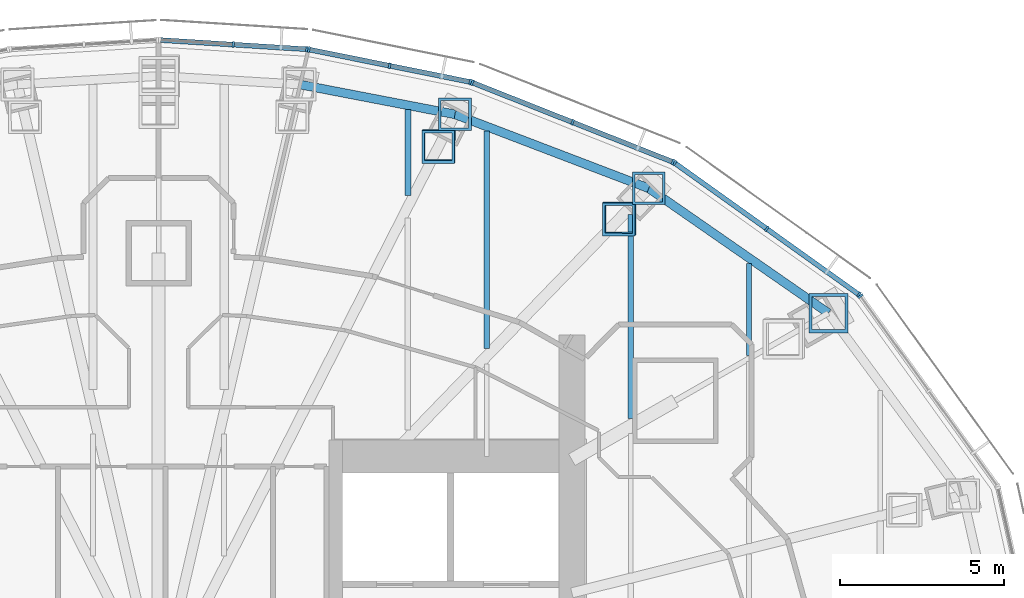
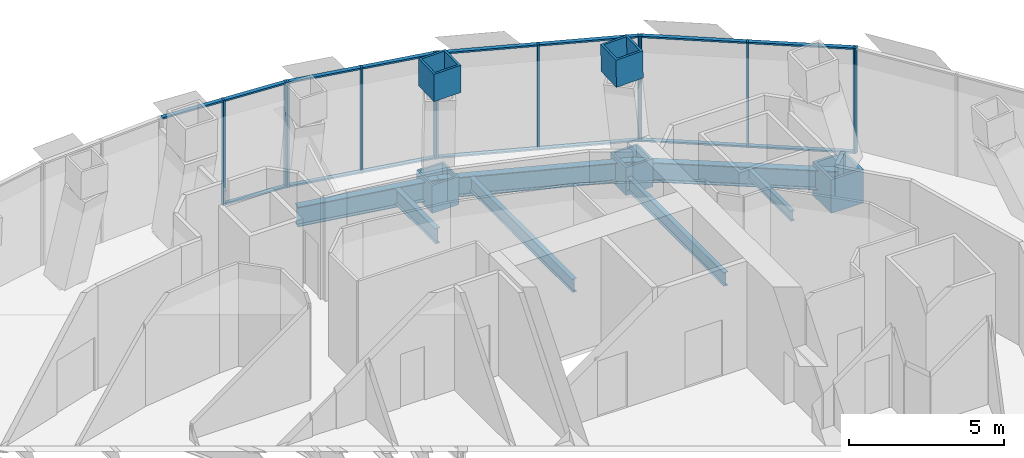
# One storey, part 9 of 18: 32 members, 7 beams, 5 elements without a shape of their own.
"""IFC4 building model written with IfcOpenShell, lengths in metres."""

from ifc_helpers import new_model, si_unit, direction, frame, origin, origin_2d, place, context, subcontext, project, spatial, rectangle, hollow_rectangle, i_section, extrude, material, material_profile, profile_set, type_object, element, aggregate, save


model = new_model("IFC4")

# Units and contexts
model_context = context("Model", 3, precision=1e-05, world=origin(), true_north=direction((0.0, 1.0)))
body_context = subcontext(model_context, "Body", "Model", "MODEL_VIEW")
ifc_project = project(units=[si_unit("LENGTHUNIT", "METRE"), si_unit("AREAUNIT", "SQUARE_METRE"), si_unit("VOLUMEUNIT", "CUBIC_METRE"), si_unit("PLANEANGLEUNIT", "RADIAN"), si_unit("MASSUNIT", "GRAM", prefix="KILO")], contexts=[model_context])

# Site, building, storey
site_placement = place(None, origin())
site = spatial("IfcSite", under=ifc_project, at=site_placement, CompositionType="ELEMENT")
building_placement = place(site_placement, origin())
building = spatial("IfcBuilding", under=site, at=building_placement, Name="Lantaw Convention Tower", CompositionType="ELEMENT")
storey_placement = place(building_placement, frame((0.0, 0.0, 266.199951171875)))
storey = spatial("IfcBuildingStorey", under=building, at=storey_placement, Name="L62", CompositionType="ELEMENT", Elevation=266.199951171875)

# Beams
ifc_material_1 = material(Name="Steel ASTM A992", Category="steel")
ifc_material_profile_1 = material_profile(ifc_material_1, i_section(OverallWidth=0.2666015625, OverallDepth=0.76953125, WebThickness=0.015625, FlangeThickness=0.025390625, FilletRadius=0.0126953125, at=origin_2d()), Name="W30X132")
ifc_profile_set_1 = profile_set([ifc_material_profile_1], Name="Steel ASTM A992")
beam_type_1 = type_object("IfcBeamType", Name="Beam E W30X132", PredefinedType="SPANDREL", material=ifc_profile_set_1)
beam_1_placement = place(storey_placement, frame((20.423095703125, 11.67041015625, -0.53466796875), z_axis=(-0.82135329406, 0.570419815869, 0.0), x_axis=(-0.570419815869, -0.82135329406, 0.0)))
element("IfcBeam", 1, at=beam_1_placement, inside=storey, type_object=beam_type_1, Name="Edge beam 3", PredefinedType="SPANDREL", context=body_context, shape_type="SweptSolid", body=[
    extrude(i_section(OverallWidth=0.2666015625, OverallDepth=0.76953125, WebThickness=0.015625, FlangeThickness=0.025390625, FilletRadius=0.0126953125, at=origin_2d()), origin(), (0.0, 0.0, 1.0), 6.67041015625),
])
beam_2_placement = place(storey_placement, frame((14.9443359375, 15.475341796875, -0.53466796875), z_axis=(-0.934234988, 0.356658081637, 0.0), x_axis=(-0.356658081637, -0.934234988, 0.0)))
element("IfcBeam", 2, at=beam_2_placement, inside=storey, type_object=beam_type_1, Name="Edge beam 4", PredefinedType="SPANDREL", context=body_context, shape_type="SweptSolid", body=[
    extrude(i_section(OverallWidth=0.2666015625, OverallDepth=0.76953125, WebThickness=0.015625, FlangeThickness=0.025390625, FilletRadius=0.0126953125, at=origin_2d()), origin(), (0.0, 0.0, 1.0), 6.32568359375),
])
beam_3_placement = place(storey_placement, frame((9.03466796875, 17.7314453125, -0.53466796875), z_axis=(-0.981972091702, 0.189025953556, 0.0), x_axis=(-0.189025953556, -0.981972091702, 0.0)))
element("IfcBeam", 3, at=beam_3_placement, inside=storey, type_object=beam_type_1, Name="Edge beam 5", PredefinedType="SPANDREL", context=body_context, shape_type="SweptSolid", body=[
    extrude(i_section(OverallWidth=0.2666015625, OverallDepth=0.76953125, WebThickness=0.015625, FlangeThickness=0.025390625, FilletRadius=0.0126953125, at=origin_2d()), origin(), (0.0, 0.0, 1.0), 4.817626953125),
])
ifc_material_profile_2 = material_profile(ifc_material_1, i_section(OverallWidth=0.140380859375, OverallDepth=0.40380859375, WebThickness=0.007080078125, FlangeThickness=0.01123046875, FilletRadius=0.01025390625, at=origin_2d()), Name="W16X31")
ifc_profile_set_2 = profile_set([ifc_material_profile_2], Name="Steel ASTM A992")
beam_type_2 = type_object("IfcBeamType", Name="Beam J W16X31", PredefinedType="JOIST", material=ifc_profile_set_2)
beam_4_placement = place(storey_placement, frame((18.0, 10.380859375, -0.351806640625), z_axis=(0.0, 1.0, 0.0), x_axis=(-1.0, 0.0, 0.0)))
element("IfcBeam", 4, at=beam_4_placement, inside=storey, type_object=beam_type_2, Name="Floor joist", PredefinedType="JOIST", context=body_context, shape_type="SweptSolid", body=[
    extrude(i_section(OverallWidth=0.140380859375, OverallDepth=0.40380859375, WebThickness=0.007080078125, FlangeThickness=0.01123046875, FilletRadius=0.01025390625, at=origin_2d()), origin(), (0.0, 0.0, 1.0), 2.81005859375),
])
ifc_material_profile_3 = material_profile(ifc_material_1, i_section(OverallWidth=0.1650390625, OverallDepth=0.52587890625, WebThickness=0.0087890625, FlangeThickness=0.011474609375, FilletRadius=0.0126953125, at=origin_2d()), Name="W21X44")
ifc_profile_set_3 = profile_set([ifc_material_profile_3], Name="Steel ASTM A992")
beam_type_3 = type_object("IfcBeamType", Name="Beam J W21X44", PredefinedType="JOIST", material=ifc_profile_set_3)
beam_5_placement = place(storey_placement, frame((10.0, 10.591064453125, -0.412841796875), z_axis=(0.0, 1.0, 0.0), x_axis=(-1.0, 0.0, 0.0)))
element("IfcBeam", 5, at=beam_5_placement, inside=storey, type_object=beam_type_3, Name="Floor joist", PredefinedType="JOIST", context=body_context, shape_type="SweptSolid", body=[
    extrude(i_section(OverallWidth=0.1650390625, OverallDepth=0.52587890625, WebThickness=0.0087890625, FlangeThickness=0.011474609375, FilletRadius=0.0126953125, at=origin_2d()), origin(), (0.0, 0.0, 1.0), 6.629150390625),
])
beam_6_placement = place(storey_placement, frame((14.39990234375, 8.461181640625, -0.412841796875), z_axis=(0.0, 1.0, 0.0), x_axis=(-1.0, 0.0, 0.0)))
element("IfcBeam", 6, at=beam_6_placement, inside=storey, type_object=beam_type_3, Name="Floor joist", PredefinedType="JOIST", context=body_context, shape_type="SweptSolid", body=[
    extrude(i_section(OverallWidth=0.1650390625, OverallDepth=0.52587890625, WebThickness=0.0087890625, FlangeThickness=0.011474609375, FilletRadius=0.0126953125, at=origin_2d()), origin(), (0.0, 0.0, 1.0), 6.214599609375),
])
ifc_material_profile_4 = material_profile(ifc_material_1, i_section(OverallWidth=0.177978515625, OverallDepth=0.599365234375, WebThickness=0.010009765625, FlangeThickness=0.012939453125, FilletRadius=0.012939453125, at=origin_2d()), Name="W24X55")
ifc_profile_set_4 = profile_set([ifc_material_profile_4], Name="Steel ASTM A992")
beam_type_4 = type_object("IfcBeamType", Name="Beam J W24X55", PredefinedType="JOIST", material=ifc_profile_set_4)
beam_7_placement = place(storey_placement, frame((7.60009765625, 15.25439453125, -0.44970703125), z_axis=(0.0, 1.0, 0.0), x_axis=(-1.0, 0.0, 0.0)))
element("IfcBeam", 7, at=beam_7_placement, inside=storey, type_object=beam_type_4, Name="Floor joist", PredefinedType="JOIST", context=body_context, shape_type="SweptSolid", body=[
    extrude(i_section(OverallWidth=0.177978515625, OverallDepth=0.599365234375, WebThickness=0.010009765625, FlangeThickness=0.012939453125, FilletRadius=0.012939453125, at=origin_2d()), origin(), (0.0, 0.0, 1.0), 2.617431640625),
])

# Curtain wall, member
ifc_material_2 = material(Name="Aluminium framed curtain wall", Category="aluminium")
curtain_wall_type = type_object("IfcCurtainWallType", Name="Office curtain wall high rise, pale aluminium", PredefinedType="USERDEFINED", material=ifc_material_2)
curtain_wall_1_placement = place(storey_placement, origin())
curtain_wall_1 = element("IfcCurtainWall", 8, at=curtain_wall_1_placement, inside=storey, type_object=curtain_wall_type, Name="Office curtain wall high rise, pale aluminium L62", ObjectType="UNITISED CURTAIN WALL", PredefinedType="USERDEFINED")
ifc_material_3 = material(Name="Aluminium 6063-T6", Category="aluminium")
ifc_material_profile_5 = material_profile(ifc_material_3, rectangle(XDim=0.179931640625, YDim=0.06494140625, at=origin_2d()), Name="CW-O2 mullion 65x180")
ifc_profile_set_5 = profile_set([ifc_material_profile_5], Name="Aluminium 6063-T6")
member_type_1 = type_object("IfcMemberType", Name="CW-O2 mullion 65x180", PredefinedType="MULLION", material=ifc_profile_set_5)
member_1_placement = place(storey_placement, frame((21.397216796875, 12.189697265625, -0.14990234375), z_axis=(0.0, 0.0, 1.0), x_axis=(-0.810919559405, -0.585157643865, 0.0)))
member_1 = element("IfcMember", 9, at=member_1_placement, type_object=member_type_1, Name="CW-O2 mullion 3", PredefinedType="MULLION", context=body_context, shape_type="SweptSolid", body=[
    extrude(rectangle(XDim=0.179931640625, YDim=0.06494140625, at=origin_2d()), origin(), (0.0, 0.0, 1.0), 4.14990234375),
])
aggregate(curtain_wall_1, [member_1])

# Curtain wall, members
curtain_wall_2_placement = place(storey_placement, origin())
curtain_wall_2 = element("IfcCurtainWall", 10, at=curtain_wall_2_placement, inside=storey, type_object=curtain_wall_type, Name="Office curtain wall high rise, pale aluminium L62", ObjectType="UNITISED CURTAIN WALL", PredefinedType="USERDEFINED")
member_2_placement = place(storey_placement, frame((21.3515625, 12.23486328125, -0.14990234375), z_axis=(0.0, 0.0, 1.0), x_axis=(-0.581323487281, -0.813672540482, 0.0)))
member_2 = element("IfcMember", 11, at=member_2_placement, type_object=member_type_1, Name="CW-O2 mullion 1", PredefinedType="MULLION", context=body_context, shape_type="SweptSolid", body=[
    extrude(rectangle(XDim=0.179931640625, YDim=0.06494140625, at=origin_2d()), origin(), (0.0, 0.0, 1.0), 4.14990234375),
])
member_3_placement = place(storey_placement, frame((18.543212890625, 14.241455078125, -0.14990234375), z_axis=(0.0, 0.0, 1.0), x_axis=(-0.581323487281, -0.813672540482, 0.0)))
member_3 = element("IfcMember", 12, at=member_3_placement, type_object=member_type_1, Name="CW-O2 mullion 2", PredefinedType="MULLION", context=body_context, shape_type="SweptSolid", body=[
    extrude(rectangle(XDim=0.179931640625, YDim=0.06494140625, at=origin_2d()), origin(), (0.0, 0.0, 1.0), 4.14990234375),
])
member_4_placement = place(storey_placement, frame((15.73486328125, 16.247802734375, -0.14990234375), z_axis=(0.0, 0.0, 1.0), x_axis=(-0.581323487281, -0.813672540482, 0.0)))
member_4 = element("IfcMember", 13, at=member_4_placement, type_object=member_type_1, Name="CW-O2 mullion 3", PredefinedType="MULLION", context=body_context, shape_type="SweptSolid", body=[
    extrude(rectangle(XDim=0.179931640625, YDim=0.06494140625, at=origin_2d()), origin(), (0.0, 0.0, 1.0), 4.14990234375),
])

curtain_wall_3_placement = place(storey_placement, origin())
curtain_wall_3 = element("IfcCurtainWall", 14, at=curtain_wall_3_placement, inside=storey, type_object=curtain_wall_type, Name="Office curtain wall high rise, pale aluminium L62", ObjectType="UNITISED CURTAIN WALL", PredefinedType="USERDEFINED")
member_5_placement = place(storey_placement, frame((15.67822265625, 16.278564453125, -0.14990234375), z_axis=(0.0, 0.0, 1.0), x_axis=(-0.368162315252, -0.929761533743, 0.0)))
member_5 = element("IfcMember", 15, at=member_5_placement, type_object=member_type_1, Name="CW-O2 mullion 1", PredefinedType="MULLION", context=body_context, shape_type="SweptSolid", body=[
    extrude(rectangle(XDim=0.179931640625, YDim=0.06494140625, at=origin_2d()), origin(), (0.0, 0.0, 1.0), 4.14990234375),
])
member_6_placement = place(storey_placement, frame((12.621337890625, 17.4892578125, -0.14990234375), z_axis=(0.0, 0.0, 1.0), x_axis=(-0.368162315252, -0.929761533743, 0.0)))
member_6 = element("IfcMember", 16, at=member_6_placement, type_object=member_type_1, Name="CW-O2 mullion 2", PredefinedType="MULLION", context=body_context, shape_type="SweptSolid", body=[
    extrude(rectangle(XDim=0.179931640625, YDim=0.06494140625, at=origin_2d()), origin(), (0.0, 0.0, 1.0), 4.14990234375),
])
member_7_placement = place(storey_placement, frame((9.564208984375, 18.69970703125, -0.14990234375), z_axis=(0.0, 0.0, 1.0), x_axis=(-0.368162315252, -0.929761533743, 0.0)))
member_7 = element("IfcMember", 17, at=member_7_placement, type_object=member_type_1, Name="CW-O2 mullion 3", PredefinedType="MULLION", context=body_context, shape_type="SweptSolid", body=[
    extrude(rectangle(XDim=0.179931640625, YDim=0.06494140625, at=origin_2d()), origin(), (0.0, 0.0, 1.0), 4.14990234375),
])

curtain_wall_4_placement = place(storey_placement, origin())
curtain_wall_4 = element("IfcCurtainWall", 18, at=curtain_wall_4_placement, inside=storey, type_object=curtain_wall_type, Name="Office curtain wall high rise, pale aluminium L62", ObjectType="UNITISED CURTAIN WALL", PredefinedType="USERDEFINED")
member_8_placement = place(storey_placement, frame((9.502197265625, 18.718017578125, -0.14990234375), z_axis=(0.0, 0.0, 1.0), x_axis=(-0.197183095987, -0.980366679695, 0.0)))
member_8 = element("IfcMember", 19, at=member_8_placement, type_object=member_type_1, Name="CW-O2 mullion 1", PredefinedType="MULLION", context=body_context, shape_type="SweptSolid", body=[
    extrude(rectangle(XDim=0.179931640625, YDim=0.06494140625, at=origin_2d()), origin(), (0.0, 0.0, 1.0), 4.14990234375),
])
member_9_placement = place(storey_placement, frame((7.042724609375, 19.212646484375, -0.14990234375), z_axis=(0.0, 0.0, 1.0), x_axis=(-0.197183095987, -0.980366679695, 0.0)))
member_9 = element("IfcMember", 20, at=member_9_placement, type_object=member_type_1, Name="CW-O2 mullion 2", PredefinedType="MULLION", context=body_context, shape_type="SweptSolid", body=[
    extrude(rectangle(XDim=0.179931640625, YDim=0.06494140625, at=origin_2d()), origin(), (0.0, 0.0, 1.0), 4.14990234375),
])
member_10_placement = place(storey_placement, frame((4.583251953125, 19.70751953125, -0.14990234375), z_axis=(0.0, 0.0, 1.0), x_axis=(-0.197183095987, -0.980366679695, 0.0)))
member_10 = element("IfcMember", 21, at=member_10_placement, type_object=member_type_1, Name="CW-O2 mullion 3", PredefinedType="MULLION", context=body_context, shape_type="SweptSolid", body=[
    extrude(rectangle(XDim=0.179931640625, YDim=0.06494140625, at=origin_2d()), origin(), (0.0, 0.0, 1.0), 4.14990234375),
])

curtain_wall_5_placement = place(storey_placement, origin())
curtain_wall_5 = element("IfcCurtainWall", 22, at=curtain_wall_5_placement, inside=storey, type_object=curtain_wall_type, Name="Office curtain wall high rise, pale aluminium L62", ObjectType="UNITISED CURTAIN WALL", PredefinedType="USERDEFINED")
member_11_placement = place(storey_placement, frame((4.518798828125, 19.7158203125, -0.14990234375), z_axis=(0.0, 0.0, 1.0), x_axis=(-0.062757983884, -0.998028774865, 0.0)))
member_11 = element("IfcMember", 23, at=member_11_placement, type_object=member_type_1, Name="CW-O2 mullion 1", PredefinedType="MULLION", context=body_context, shape_type="SweptSolid", body=[
    extrude(rectangle(XDim=0.179931640625, YDim=0.06494140625, at=origin_2d()), origin(), (0.0, 0.0, 1.0), 4.14990234375),
])
member_12_placement = place(storey_placement, frame((2.275634765625, 19.85693359375, -0.14990234375), z_axis=(0.0, 0.0, 1.0), x_axis=(-0.062757983884, -0.998028774865, 0.0)))
member_12 = element("IfcMember", 24, at=member_12_placement, type_object=member_type_1, Name="CW-O2 mullion 2", PredefinedType="MULLION", context=body_context, shape_type="SweptSolid", body=[
    extrude(rectangle(XDim=0.179931640625, YDim=0.06494140625, at=origin_2d()), origin(), (0.0, 0.0, 1.0), 4.14990234375),
])

# Member
ifc_material_profile_6 = material_profile(ifc_material_3, rectangle(XDim=0.14990234375, YDim=0.06494140625, at=origin_2d()), Name="CW-O2 transom 65x150")
ifc_profile_set_6 = profile_set([ifc_material_profile_6], Name="Aluminium 6063-T6")
member_type_2 = type_object("IfcMemberType", Name="CW-O2 transom 65x150", PredefinedType="USERDEFINED", material=ifc_profile_set_6)
member_13_placement = place(storey_placement, frame((21.3251953125, 12.25390625, -0.117431640625), z_axis=(-0.813679882592, 0.581313210468, 0.0), x_axis=(-0.581313210468, -0.813679882592, 0.0)))
member_13 = element("IfcMember", 25, at=member_13_placement, type_object=member_type_2, Name="CW-O2 transom 1.1", ObjectType="TRANSOM", PredefinedType="USERDEFINED", context=body_context, shape_type="SweptSolid", body=[
    extrude(rectangle(XDim=0.14990234375, YDim=0.06494140625, at=origin_2d()), origin(), (0.0, 0.0, 1.0), 3.38623046875),
])

member_14_placement = place(storey_placement, frame((21.3251953125, 12.25390625, 3.967529296875), z_axis=(-0.813679882592, 0.581313210468, 0.0), x_axis=(-0.581313210468, -0.813679882592, 0.0)))
member_14 = element("IfcMember", 26, at=member_14_placement, type_object=member_type_2, Name="CW-O2 transom 1.2", ObjectType="TRANSOM", PredefinedType="USERDEFINED", context=body_context, shape_type="SweptSolid", body=[
    extrude(rectangle(XDim=0.14990234375, YDim=0.06494140625, at=origin_2d()), origin(), (0.0, 0.0, 1.0), 3.38623046875),
])

member_15_placement = place(storey_placement, frame((18.516845703125, 14.26025390625, -0.117431640625), z_axis=(-0.813645780821, 0.581360940683, 0.0), x_axis=(-0.581360940683, -0.813645780821, 0.0)))
member_15 = element("IfcMember", 27, at=member_15_placement, type_object=member_type_2, Name="CW-O2 transom 2.1", ObjectType="TRANSOM", PredefinedType="USERDEFINED", context=body_context, shape_type="SweptSolid", body=[
    extrude(rectangle(XDim=0.14990234375, YDim=0.06494140625, at=origin_2d()), origin(), (0.0, 0.0, 1.0), 3.386474609375),
])

member_16_placement = place(storey_placement, frame((18.516845703125, 14.26025390625, 3.967529296875), z_axis=(-0.813645780821, 0.581360940683, 0.0), x_axis=(-0.581360940683, -0.813645780821, 0.0)))
member_16 = element("IfcMember", 28, at=member_16_placement, type_object=member_type_2, Name="CW-O2 transom 2.2", ObjectType="TRANSOM", PredefinedType="USERDEFINED", context=body_context, shape_type="SweptSolid", body=[
    extrude(rectangle(XDim=0.14990234375, YDim=0.06494140625, at=origin_2d()), origin(), (0.0, 0.0, 1.0), 3.386474609375),
])

aggregate(curtain_wall_2, [member_2, member_3, member_4, member_13, member_14, member_15, member_16])

member_17_placement = place(storey_placement, frame((15.648193359375, 16.29052734375, -0.117431640625), z_axis=(-0.929740712354, 0.368214893495, 0.0), x_axis=(-0.368214893495, -0.929740712354, 0.0)))
member_17 = element("IfcMember", 29, at=member_17_placement, type_object=member_type_2, Name="CW-O2 transom 1.1", ObjectType="TRANSOM", PredefinedType="USERDEFINED", context=body_context, shape_type="SweptSolid", body=[
    extrude(rectangle(XDim=0.14990234375, YDim=0.06494140625, at=origin_2d()), origin(), (0.0, 0.0, 1.0), 3.22314453125),
])

member_18_placement = place(storey_placement, frame((15.648193359375, 16.29052734375, 3.967529296875), z_axis=(-0.929740712354, 0.368214893495, 0.0), x_axis=(-0.368214893495, -0.929740712354, 0.0)))
member_18 = element("IfcMember", 30, at=member_18_placement, type_object=member_type_2, Name="CW-O2 transom 1.2", ObjectType="TRANSOM", PredefinedType="USERDEFINED", context=body_context, shape_type="SweptSolid", body=[
    extrude(rectangle(XDim=0.14990234375, YDim=0.06494140625, at=origin_2d()), origin(), (0.0, 0.0, 1.0), 3.22314453125),
])

member_19_placement = place(storey_placement, frame((12.591064453125, 17.501220703125, -0.117431640625), z_axis=(-0.929766642946, 0.368149412149, 0.0), x_axis=(-0.368149412149, -0.929766642946, 0.0)))
member_19 = element("IfcMember", 31, at=member_19_placement, type_object=member_type_2, Name="CW-O2 transom 2.1", ObjectType="TRANSOM", PredefinedType="USERDEFINED", context=body_context, shape_type="SweptSolid", body=[
    extrude(rectangle(XDim=0.14990234375, YDim=0.06494140625, at=origin_2d()), origin(), (0.0, 0.0, 1.0), 3.222900390625),
])

member_20_placement = place(storey_placement, frame((12.591064453125, 17.501220703125, 3.967529296875), z_axis=(-0.929766642946, 0.368149412149, 0.0), x_axis=(-0.368149412149, -0.929766642946, 0.0)))
member_20 = element("IfcMember", 32, at=member_20_placement, type_object=member_type_2, Name="CW-O2 transom 2.2", ObjectType="TRANSOM", PredefinedType="USERDEFINED", context=body_context, shape_type="SweptSolid", body=[
    extrude(rectangle(XDim=0.14990234375, YDim=0.06494140625, at=origin_2d()), origin(), (0.0, 0.0, 1.0), 3.222900390625),
])

aggregate(curtain_wall_3, [member_5, member_6, member_7, member_17, member_18, member_19, member_20])

member_21_placement = place(storey_placement, frame((9.47021484375, 18.724365234375, -0.117431640625), z_axis=(-0.98036104319, 0.197211117829, 0.0), x_axis=(-0.197211117829, -0.98036104319, 0.0)))
member_21 = element("IfcMember", 33, at=member_21_placement, type_object=member_type_2, Name="CW-O2 transom 1.1", ObjectType="TRANSOM", PredefinedType="USERDEFINED", context=body_context, shape_type="SweptSolid", body=[
    extrude(rectangle(XDim=0.14990234375, YDim=0.06494140625, at=origin_2d()), origin(), (0.0, 0.0, 1.0), 2.44384765625),
])

member_22_placement = place(storey_placement, frame((9.47021484375, 18.724365234375, 3.967529296875), z_axis=(-0.98036104319, 0.197211117829, 0.0), x_axis=(-0.197211117829, -0.98036104319, 0.0)))
member_22 = element("IfcMember", 34, at=member_22_placement, type_object=member_type_2, Name="CW-O2 transom 1.2", ObjectType="TRANSOM", PredefinedType="USERDEFINED", context=body_context, shape_type="SweptSolid", body=[
    extrude(rectangle(XDim=0.14990234375, YDim=0.06494140625, at=origin_2d()), origin(), (0.0, 0.0, 1.0), 2.44384765625),
])

member_23_placement = place(storey_placement, frame((7.0107421875, 19.21923828125, -0.117431640625), z_axis=(-0.980380354178, 0.197115096178, 0.0), x_axis=(-0.197115096178, -0.980380354178, 0.0)))
member_23 = element("IfcMember", 35, at=member_23_placement, type_object=member_type_2, Name="CW-O2 transom 2.1", ObjectType="TRANSOM", PredefinedType="USERDEFINED", context=body_context, shape_type="SweptSolid", body=[
    extrude(rectangle(XDim=0.14990234375, YDim=0.06494140625, at=origin_2d()), origin(), (0.0, 0.0, 1.0), 2.443603515625),
])

member_24_placement = place(storey_placement, frame((7.0107421875, 19.21923828125, 3.967529296875), z_axis=(-0.980380354178, 0.197115096178, 0.0), x_axis=(-0.197115096178, -0.980380354178, 0.0)))
member_24 = element("IfcMember", 36, at=member_24_placement, type_object=member_type_2, Name="CW-O2 transom 2.2", ObjectType="TRANSOM", PredefinedType="USERDEFINED", context=body_context, shape_type="SweptSolid", body=[
    extrude(rectangle(XDim=0.14990234375, YDim=0.06494140625, at=origin_2d()), origin(), (0.0, 0.0, 1.0), 2.443603515625),
])

aggregate(curtain_wall_4, [member_8, member_9, member_10, member_21, member_22, member_23, member_24])

member_25_placement = place(storey_placement, frame((4.486328125, 19.7177734375, -0.117431640625), z_axis=(-0.998021991509, 0.062865765437, 0.0), x_axis=(-0.062865765437, -0.998021991509, 0.0)))
member_25 = element("IfcMember", 37, at=member_25_placement, type_object=member_type_2, Name="CW-O2 transom 1.1", ObjectType="TRANSOM", PredefinedType="USERDEFINED", context=body_context, shape_type="SweptSolid", body=[
    extrude(rectangle(XDim=0.14990234375, YDim=0.06494140625, at=origin_2d()), origin(), (0.0, 0.0, 1.0), 2.1826171875),
])

member_26_placement = place(storey_placement, frame((4.486328125, 19.7177734375, 3.967529296875), z_axis=(-0.998021991509, 0.062865765437, 0.0), x_axis=(-0.062865765437, -0.998021991509, 0.0)))
member_26 = element("IfcMember", 38, at=member_26_placement, type_object=member_type_2, Name="CW-O2 transom 1.2", ObjectType="TRANSOM", PredefinedType="USERDEFINED", context=body_context, shape_type="SweptSolid", body=[
    extrude(rectangle(XDim=0.14990234375, YDim=0.06494140625, at=origin_2d()), origin(), (0.0, 0.0, 1.0), 2.1826171875),
])

member_27_placement = place(storey_placement, frame((2.2431640625, 19.85888671875, 3.967529296875), z_axis=(-0.998029003644, 0.062754345555, 0.0), x_axis=(-0.062754345555, -0.998029003644, 0.0)))
member_27 = element("IfcMember", 39, at=member_27_placement, type_object=member_type_2, Name="CW-O2 transom 2.2", ObjectType="TRANSOM", PredefinedType="USERDEFINED", context=body_context, shape_type="SweptSolid", body=[
    extrude(rectangle(XDim=0.14990234375, YDim=0.06494140625, at=origin_2d()), origin(), (0.0, 0.0, 1.0), 2.1826171875),
])

aggregate(curtain_wall_5, [member_11, member_12, member_25, member_26, member_27])

# Members
ifc_material_4 = material(Name="Cast steel ASTM A148 Grade 80-50", Category="steel")
ifc_material_profile_7 = material_profile(ifc_material_4, hollow_rectangle(XDim=1.0, YDim=1.0, WallThickness=0.080078125, at=origin_2d()), Name="BOX1000X80")
ifc_profile_set_7 = profile_set([ifc_material_profile_7], Name="Cast steel ASTM A148 Grade 80-50")
member_type_3 = type_object("IfcMemberType", Name="Member CN BOX1000X80", PredefinedType="USERDEFINED", material=ifc_profile_set_7)
member_28_placement = place(storey_placement, frame((14.9443359375, 15.475341796875, -1.099853515625), z_axis=(0.0, 0.0, 1.0), x_axis=(1.0, 0.0, 0.0)))
element("IfcMember", 40, at=member_28_placement, inside=storey, type_object=member_type_3, Name="Cast steel column node", ObjectType="COLUMN NODE", PredefinedType="USERDEFINED", context=body_context, shape_type="SweptSolid", body=[
    extrude(hollow_rectangle(XDim=1.0, YDim=1.0, WallThickness=0.080078125, at=origin_2d()), origin(), (0.0, 0.0, 1.0), 1.099853515625),
])
member_29_placement = place(storey_placement, frame((14.06103515625, 14.560546875, 4.047119140625), z_axis=(-0.030375009285, -0.03126187087, 0.999049575467), x_axis=(0.999533854415, -0.00402119647, 0.03026390354)))
element("IfcMember", 41, at=member_29_placement, inside=storey, type_object=member_type_3, Name="Cast steel column node", ObjectType="COLUMN NODE", PredefinedType="USERDEFINED", context=body_context, shape_type="SweptSolid", body=[
    extrude(hollow_rectangle(XDim=1.0, YDim=1.0, WallThickness=0.080078125, at=origin_2d()), origin(), (0.0, 0.0, 1.0), 1.10107421875),
])
member_30_placement = place(storey_placement, frame((9.03466796875, 17.7314453125, -1.099853515625), z_axis=(0.0, 0.0, 1.0), x_axis=(1.0, 0.0, 0.0)))
element("IfcMember", 42, at=member_30_placement, inside=storey, type_object=member_type_3, Name="Cast steel column node", ObjectType="COLUMN NODE", PredefinedType="USERDEFINED", context=body_context, shape_type="SweptSolid", body=[
    extrude(hollow_rectangle(XDim=1.0, YDim=1.0, WallThickness=0.080078125, at=origin_2d()), origin(), (0.0, 0.0, 1.0), 1.099853515625),
])
member_31_placement = place(storey_placement, frame((8.544189453125, 16.768798828125, 4.06884765625), z_axis=(-0.014421183142, -0.028176773216, 0.999498923925), x_axis=(0.999894369533, -0.002216723787, 0.014364397358)))
element("IfcMember", 43, at=member_31_placement, inside=storey, type_object=member_type_3, Name="Cast steel column node", ObjectType="COLUMN NODE", PredefinedType="USERDEFINED", context=body_context, shape_type="SweptSolid", body=[
    extrude(hollow_rectangle(XDim=1.0, YDim=1.0, WallThickness=0.080078125, at=origin_2d()), origin(), (0.0, 0.0, 1.0), 1.100341796875),
])
ifc_material_profile_8 = material_profile(ifc_material_4, hollow_rectangle(XDim=1.199951171875, YDim=1.199951171875, WallThickness=0.10009765625, at=origin_2d()), Name="BOX1200X100")
ifc_profile_set_8 = profile_set([ifc_material_profile_8], Name="Cast steel ASTM A148 Grade 80-50")
member_type_4 = type_object("IfcMemberType", Name="Member CN BOX1200X100", PredefinedType="USERDEFINED", material=ifc_profile_set_8)
member_32_placement = place(storey_placement, frame((20.423095703125, 11.67041015625, -1.320068359375), z_axis=(0.0, 0.0, 1.0), x_axis=(1.0, 0.0, 0.0)))
element("IfcMember", 44, at=member_32_placement, inside=storey, type_object=member_type_4, Name="Cast steel column node", ObjectType="COLUMN NODE", PredefinedType="USERDEFINED", context=body_context, shape_type="SweptSolid", body=[
    extrude(hollow_rectangle(XDim=1.199951171875, YDim=1.199951171875, WallThickness=0.10009765625, at=origin_2d()), origin(), (0.0, 0.0, 1.0), 1.320068359375),
])

save(model, "model.ifc")
